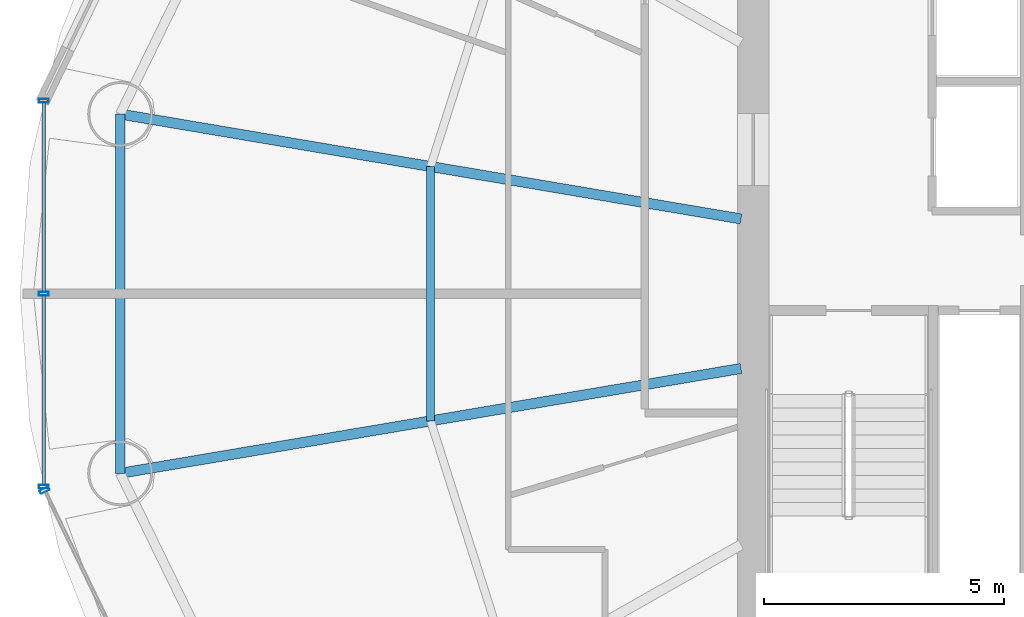
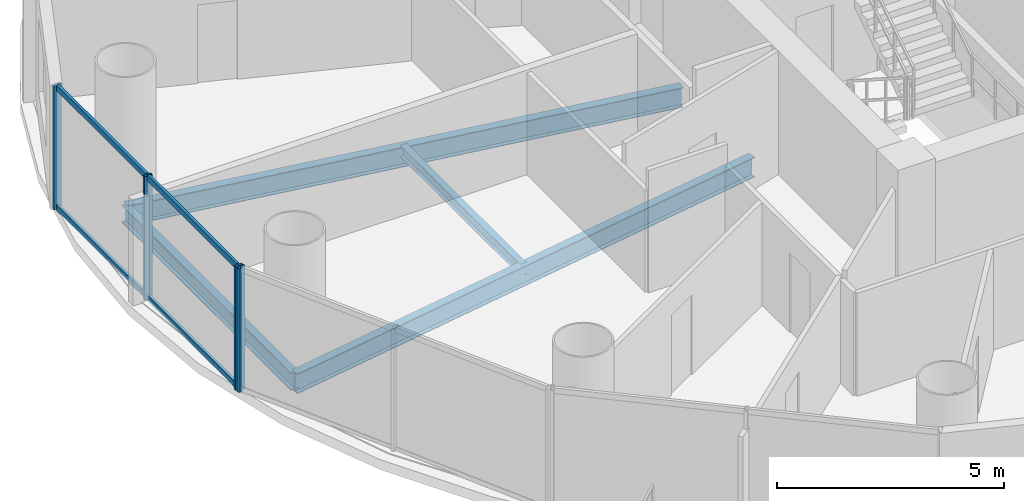
# One storey, part 7 of 27: 8 members, 4 beams, 2 elements without a shape of their own.
"""IFC4 building model written with IfcOpenShell, lengths in metres."""

from ifc_helpers import new_model, si_unit, direction, frame, origin, origin_2d, place, context, subcontext, project, spatial, hollow_rectangle, i_section, extrude, source, transform, mapped, material, material_profile, profile_set, type_object, element, aggregate, save


model = new_model("IFC4")

# Units and contexts
model_context = context("Model", 3, precision=1e-05, world=origin(), true_north=direction((-0.2419218956, 0.970295726276)))
body_context = subcontext(model_context, "Body", "Model", "MODEL_VIEW")
ifc_project = project(units=[si_unit("LENGTHUNIT", "METRE"), si_unit("AREAUNIT", "SQUARE_METRE"), si_unit("VOLUMEUNIT", "CUBIC_METRE"), si_unit("PLANEANGLEUNIT", "RADIAN"), si_unit("MASSUNIT", "GRAM", prefix="KILO")], contexts=[model_context])

# Site, building, storey
site_placement = place(None, origin())
site = spatial("IfcSite", under=ifc_project, at=site_placement, CompositionType="ELEMENT")
building_placement = place(site_placement, origin())
building = spatial("IfcBuilding", under=site, at=building_placement, Name="Cobrevalo Terracotta Tower", CompositionType="ELEMENT")
storey_placement = place(building_placement, frame((0.0, 0.0, 160.60009765625)))
storey = spatial("IfcBuildingStorey", under=building, at=storey_placement, Name="L42", CompositionType="ELEMENT", Elevation=160.60009765625)

# Beams
ifc_material_1 = material(Name="Steel S355", Category="steel")
ifc_material_profile_1 = material_profile(ifc_material_1, i_section(OverallWidth=0.2109375, OverallDepth=0.5390625, WebThickness=0.01171875, FlangeThickness=0.018798828125, at=origin_2d()), Name="W 530x109")
ifc_profile_set_1 = profile_set([ifc_material_profile_1], Name="Steel S355")
beam_type_1 = type_object("IfcBeamType", Name="Structural Beam W 530x109 (Steel S355)", PredefinedType="BEAM", material=ifc_profile_set_1)
for number, where, z_axis, x_axis, name in (
    (1, (15.88330078125, 30.535888671875, -0.53955078125), (0.986032794282, -0.166551279191, 0.0), (0.166551279191, 0.986032794282, 0.0), "L42 radial floor girder 08"),
    (2, (15.88330078125, 23.06396484375, -0.53955078125), (0.986029732232, 0.166569406417, 0.0), (-0.166569406417, 0.986029732232, 0.0), "L42 radial floor girder 09"),
):
    element("IfcBeam", number, at=place(storey_placement, frame(where, z_axis=z_axis, x_axis=x_axis)), inside=storey, type_object=beam_type_1, Name=name, PredefinedType="BEAM", context=body_context, shape_type="SweptSolid", body=[
        extrude(i_section(OverallWidth=0.2109375, OverallDepth=0.5390625, WebThickness=0.01171875, FlangeThickness=0.018798828125, at=origin_2d()), origin(), (0.0, 0.0, 1.0), 13.094482421875),
    ])
ifc_material_profile_2 = material_profile(ifc_material_1, i_section(OverallWidth=0.1650390625, OverallDepth=0.31005859375, WebThickness=0.005859375, FlangeThickness=0.009765625, at=origin_2d()), Name="W 310x38.7")
ifc_profile_set_2 = profile_set([ifc_material_profile_2], Name="Steel S355")
beam_type_2 = type_object("IfcBeamType", Name="Structural Joist W 310x38.7 (Steel S355)", PredefinedType="JOIST", material=ifc_profile_set_2)
beam_1_placement = place(storey_placement, frame((22.339111328125, 29.445556640625, -0.425048828125), z_axis=(0.0, -1.0, 0.0), x_axis=(1.0, 0.0, 0.0)))
element("IfcBeam", 3, at=beam_1_placement, inside=storey, type_object=beam_type_2, Name="L42 circumferential secondary floor joist 08", PredefinedType="JOIST", context=body_context, shape_type="SweptSolid", body=[
    extrude(i_section(OverallWidth=0.1650390625, OverallDepth=0.31005859375, WebThickness=0.005859375, FlangeThickness=0.009765625, at=origin_2d()), origin(), (0.0, 0.0, 1.0), 5.291015625),
])
ifc_material_profile_3 = material_profile(ifc_material_1, i_section(OverallWidth=0.194091796875, OverallDepth=0.468994140625, WebThickness=0.011474609375, FlangeThickness=0.0205078125, at=origin_2d()), Name="W 460x106")
ifc_profile_set_3 = profile_set([ifc_material_profile_3], Name="Steel S355")
beam_type_3 = type_object("IfcBeamType", Name="Structural Spandrel W 460x106 (Steel S355)", PredefinedType="SPANDREL", material=ifc_profile_set_3)
beam_2_placement = place(storey_placement, frame((15.88330078125, 30.535888671875, -0.504638671875), z_axis=(0.0, -1.0, 0.0), x_axis=(1.0, 0.0, 0.0)))
element("IfcBeam", 4, at=beam_2_placement, inside=storey, type_object=beam_type_3, Name="L42 perimeter ring spandrel 08", PredefinedType="SPANDREL", context=body_context, shape_type="SweptSolid", body=[
    extrude(i_section(OverallWidth=0.194091796875, OverallDepth=0.468994140625, WebThickness=0.011474609375, FlangeThickness=0.0205078125, at=origin_2d()), origin(), (0.0, 0.0, 1.0), 7.471923828125),
])

# Curtain wall, members
ifc_material_2 = material(Name="Anodized aluminium", Category="aluminium")
curtain_wall_type = type_object("IfcCurtainWallType", Name="Mid-tower high-wind unitised curtain wall CW-U2", PredefinedType="NOTDEFINED", material=ifc_material_2)
curtain_wall_1_placement = place(storey_placement, origin())
curtain_wall_1 = element("IfcCurtainWall", 5, at=curtain_wall_1_placement, inside=storey, type_object=curtain_wall_type, Name="L42 curtain wall CW-L42-S08", PredefinedType="NOTDEFINED")
ifc_material_profile_4 = material_profile(ifc_material_2, hollow_rectangle(XDim=0.074951171875, YDim=0.14990234375, WallThickness=0.00439453125, at=origin_2d()), Name="CWT 75x150")
ifc_profile_set_4 = profile_set([ifc_material_profile_4], Name="Anodized aluminium")
member_type_1 = type_object("IfcMemberType", Name="Tower unitised aluminium transom 75x150", PredefinedType="USERDEFINED", material=ifc_profile_set_4)
shared_shape_1 = source(origin(), body_context, "Body", "SweptSolid", [
    extrude(hollow_rectangle(XDim=0.074951171875, YDim=0.14990234375, WallThickness=0.00439453125, at=origin_2d()), origin(), (0.0, 0.0, 1.0), 3.931884765625),
])
member_1_placement = place(storey_placement, frame((14.29443359375, 30.77197265625, 0.0498046875), z_axis=(0.0, -1.0, 0.0), x_axis=(1.0, 0.0, 0.0)))
member_1 = element("IfcMember", 6, at=member_1_placement, type_object=member_type_1, Name="CW-L42-S08 transom B01-T1", ObjectType="TRANSOM", PredefinedType="USERDEFINED", context=body_context, shape_type="MappedRepresentation", body=[
    mapped(shared_shape_1, transform((0.0, 0.0, 0.0), scale=1.0)),
])
member_2_placement = place(storey_placement, frame((14.29443359375, 30.77197265625, 3.27978515625), z_axis=(0.0, -1.0, 0.0), x_axis=(1.0, 0.0, 0.0)))
member_2 = element("IfcMember", 7, at=member_2_placement, type_object=member_type_1, Name="CW-L42-S08 transom B01-T2", ObjectType="TRANSOM", PredefinedType="USERDEFINED", context=body_context, shape_type="MappedRepresentation", body=[
    mapped(shared_shape_1, transform((0.0, 0.0, 0.0), scale=1.0)),
])
shared_shape_2 = source(origin(), body_context, "Body", "SweptSolid", [
    extrude(hollow_rectangle(XDim=0.074951171875, YDim=0.14990234375, WallThickness=0.00439453125, at=origin_2d()), origin(), (0.0, 0.0, 1.0), 3.93212890625),
])
member_3_placement = place(storey_placement, frame((14.29443359375, 26.760009765625, 0.0498046875), z_axis=(0.0, -1.0, 0.0), x_axis=(1.0, 0.0, 0.0)))
member_3 = element("IfcMember", 8, at=member_3_placement, type_object=member_type_1, Name="CW-L42-S08 transom B02-T1", ObjectType="TRANSOM", PredefinedType="USERDEFINED", context=body_context, shape_type="MappedRepresentation", body=[
    mapped(shared_shape_2, transform((0.0, 0.0, 0.0), scale=1.0)),
])
member_4_placement = place(storey_placement, frame((14.29443359375, 26.760009765625, 3.27978515625), z_axis=(0.0, -1.0, 0.0), x_axis=(1.0, 0.0, 0.0)))
member_4 = element("IfcMember", 9, at=member_4_placement, type_object=member_type_1, Name="CW-L42-S08 transom B02-T2", ObjectType="TRANSOM", PredefinedType="USERDEFINED", context=body_context, shape_type="MappedRepresentation", body=[
    mapped(shared_shape_2, transform((0.0, 0.0, 0.0), scale=1.0)),
])
ifc_material_profile_5 = material_profile(ifc_material_2, hollow_rectangle(XDim=0.074951171875, YDim=0.199951171875, WallThickness=0.0048828125, at=origin_2d()), Name="CWM 75x200")
ifc_profile_set_5 = profile_set([ifc_material_profile_5], Name="Anodized aluminium")
member_type_2 = type_object("IfcMemberType", Name="Lower/mid tower unitised mullion 75x200", PredefinedType="MULLION", material=ifc_profile_set_5)
shared_shape_3 = source(origin(), body_context, "Body", "SweptSolid", [
    extrude(hollow_rectangle(XDim=0.074951171875, YDim=0.199951171875, WallThickness=0.0048828125, at=origin_2d()), origin(), (0.0, 0.0, 1.0), 3.329833984375),
])
member_5_placement = place(storey_placement, frame((14.29443359375, 30.81201171875, 0.0), z_axis=(0.0, 0.0, 1.0), x_axis=(0.0, -1.0, 0.0)))
member_5 = element("IfcMember", 10, at=member_5_placement, type_object=member_type_2, Name="CW-L42-S08 vertical mullion 01", PredefinedType="MULLION", context=body_context, shape_type="MappedRepresentation", body=[
    mapped(shared_shape_3, transform((0.0, 0.0, 0.0), scale=1.0)),
])
member_6_placement = place(storey_placement, frame((14.29443359375, 26.800048828125, 0.0), z_axis=(0.0, 0.0, 1.0), x_axis=(0.0, -1.0, 0.0)))
member_6 = element("IfcMember", 11, at=member_6_placement, type_object=member_type_2, Name="CW-L42-S08 vertical mullion 02", PredefinedType="MULLION", context=body_context, shape_type="MappedRepresentation", body=[
    mapped(shared_shape_3, transform((0.0, 0.0, 0.0), scale=1.0)),
])
member_7_placement = place(storey_placement, frame((14.29443359375, 22.7880859375, 0.0), z_axis=(0.0, 0.0, 1.0), x_axis=(0.0, -1.0, 0.0)))
member_7 = element("IfcMember", 12, at=member_7_placement, type_object=member_type_2, Name="CW-L42-S08 vertical mullion 03", PredefinedType="MULLION", context=body_context, shape_type="MappedRepresentation", body=[
    mapped(shared_shape_3, transform((0.0, 0.0, 0.0), scale=1.0)),
])
aggregate(curtain_wall_1, [member_5, member_6, member_7, member_1, member_2, member_3, member_4])

# Curtain wall, member
curtain_wall_2_placement = place(storey_placement, origin())
curtain_wall_2 = element("IfcCurtainWall", 13, at=curtain_wall_2_placement, inside=storey, type_object=curtain_wall_type, Name="L42 curtain wall CW-L42-S09", PredefinedType="NOTDEFINED")
member_8_placement = place(storey_placement, frame((14.311767578125, 22.7119140625, 0.0), z_axis=(0.0, 0.0, 1.0), x_axis=(0.434209440271, -0.900811945957, 0.0)))
member_8 = element("IfcMember", 14, at=member_8_placement, type_object=member_type_2, Name="CW-L42-S09 vertical mullion 01", PredefinedType="MULLION", context=body_context, shape_type="MappedRepresentation", body=[
    mapped(shared_shape_3, transform((0.0, 0.0, 0.0), scale=1.0)),
])
aggregate(curtain_wall_2, [member_8])

save(model, "model.ifc")
